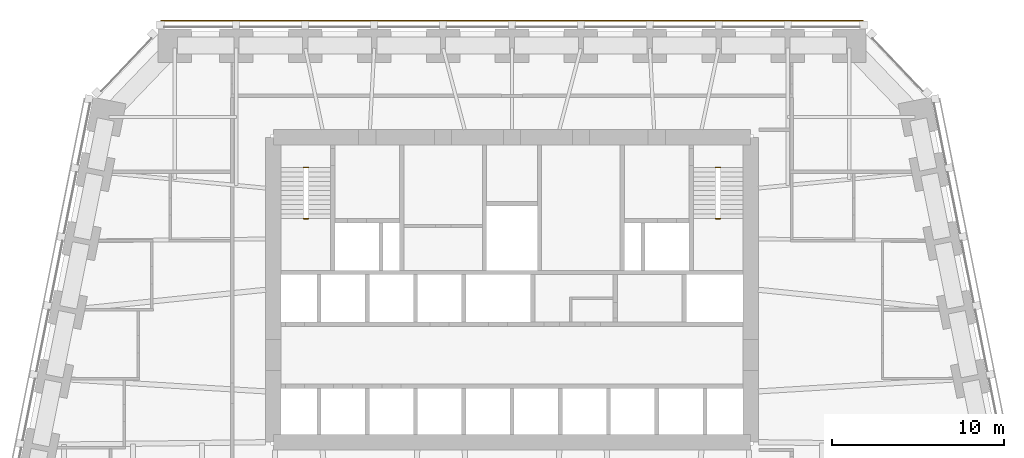
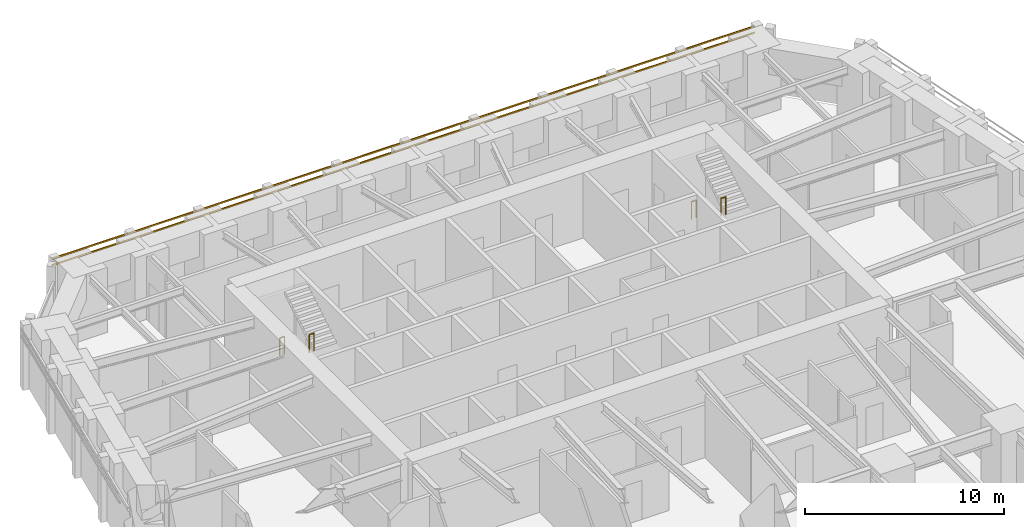
# One storey, part 10 of 10: 4 railings, 2 shading devices.
"""IFC4 building model written with IfcOpenShell, lengths in metres."""

from ifc_helpers import new_model, si_unit, direction, frame, origin, origin_2d, place, context, subcontext, project, spatial, rectangle, circle, extrude, material, material_profile, profile_set, type_object, element, save


model = new_model("IFC4")

# Units and contexts
model_context = context("Model", 3, precision=1e-05, world=origin(), true_north=direction((0.0, 1.0)))
body_context = subcontext(model_context, "Body", "Model", "MODEL_VIEW")
ifc_project = project(units=[si_unit("LENGTHUNIT", "METRE"), si_unit("AREAUNIT", "SQUARE_METRE"), si_unit("VOLUMEUNIT", "CUBIC_METRE"), si_unit("PLANEANGLEUNIT", "RADIAN"), si_unit("MASSUNIT", "GRAM", prefix="KILO")], contexts=[model_context])

# Site, building, storey
site_placement = place(None, origin())
site = spatial("IfcSite", under=ifc_project, at=site_placement, CompositionType="ELEMENT")
building_placement = place(site_placement, origin())
building = spatial("IfcBuilding", under=site, at=building_placement, Name="Isbrekke Arena Tower", CompositionType="ELEMENT")
storey_placement = place(building_placement, frame((0.0, 0.0, 56.0)))
storey = spatial("IfcBuildingStorey", under=building, at=storey_placement, Name="L11", CompositionType="ELEMENT", Elevation=56.0)

# Shading devices
ifc_material_1 = material(Name="Terracotta", Category="masonry")
ifc_material_profile = material_profile(ifc_material_1, rectangle(XDim=0.06005859375, YDim=0.06005859375, at=origin_2d()), Name="BAGUETTE 60X60")
ifc_profile_set = profile_set([ifc_material_profile], Name="Terracotta")
shading_device_type = type_object("IfcShadingDeviceType", Name="BG1 TERRACOTTA BAGUETTE 60 x 60", PredefinedType="USERDEFINED", material=ifc_profile_set)
for number, where, z_axis, x_axis, name in (
    (1, (20.39990234375, 30.6298828125, 3.280029296875), (-1.0, 0.0, 0.0), (0.0, -1.0, 0.0), "BG1 terracotta baguette N1 L11"),
    (2, (20.39990234375, 30.6298828125, 3.679931640625), (-1.0, 0.0, 0.0), (0.0, -1.0, 0.0), "BG1 terracotta baguette N2 L11"),
):
    element("IfcShadingDevice", number, at=place(storey_placement, frame(where, z_axis=z_axis, x_axis=x_axis)), inside=storey, type_object=shading_device_type, Name=name, ObjectType="TERRACOTTA BAGUETTE", PredefinedType="USERDEFINED", context=body_context, shape_type="SweptSolid", body=[
        extrude(rectangle(XDim=0.06005859375, YDim=0.06005859375, at=origin_2d()), origin(), (0.0, 0.0, 1.0), 40.7998046875),
    ])

# Railings
ifc_material_2 = material(Name="Steel stair guard, vertical bars, steel handrail", Category="steel")
railing_type = type_object("IfcRailingType", Name="GR3 STAIR WELL GUARD 1100", PredefinedType="GUARDRAIL", material=ifc_material_2)
for number, where, name in (
    (3, (-12.10009765625, 22.10009765625, 0.0), "GR3 stair well guard ST1 L11"),
    (4, (-12.10009765625, 19.1298828125, 2.0), "GR3 stair well guard ST1 L11"),
    (5, (11.824951171875, 22.10009765625, 0.0), "GR3 stair well guard ST2 L11"),
    (6, (11.824951171875, 19.1298828125, 2.0), "GR3 stair well guard ST2 L11"),
):
    element("IfcRailing", number, at=place(storey_placement, frame(where)), inside=storey, type_object=railing_type, Name=name, PredefinedType="GUARDRAIL", context=body_context, shape_type="SweptSolid", body=[
        extrude(circle(Radius=0.02392578125, at=origin_2d()), frame((0.0, 0.0, 1.076171875), z_axis=(1.0, 0.0, 0.0), x_axis=(0.0, 1.0, 0.0)), (0.0, 0.0, 1.0), 0.275146484375),
        extrude(circle(Radius=0.02099609375, at=origin_2d()), origin(), (0.0, 0.0, 1.0), 1.052001953125),
        extrude(circle(Radius=0.02099609375, at=origin_2d()), frame((0.275146484375, 0.0, 0.0)), (0.0, 0.0, 1.0), 1.052001953125),
    ])

save(model, "model.ifc")
